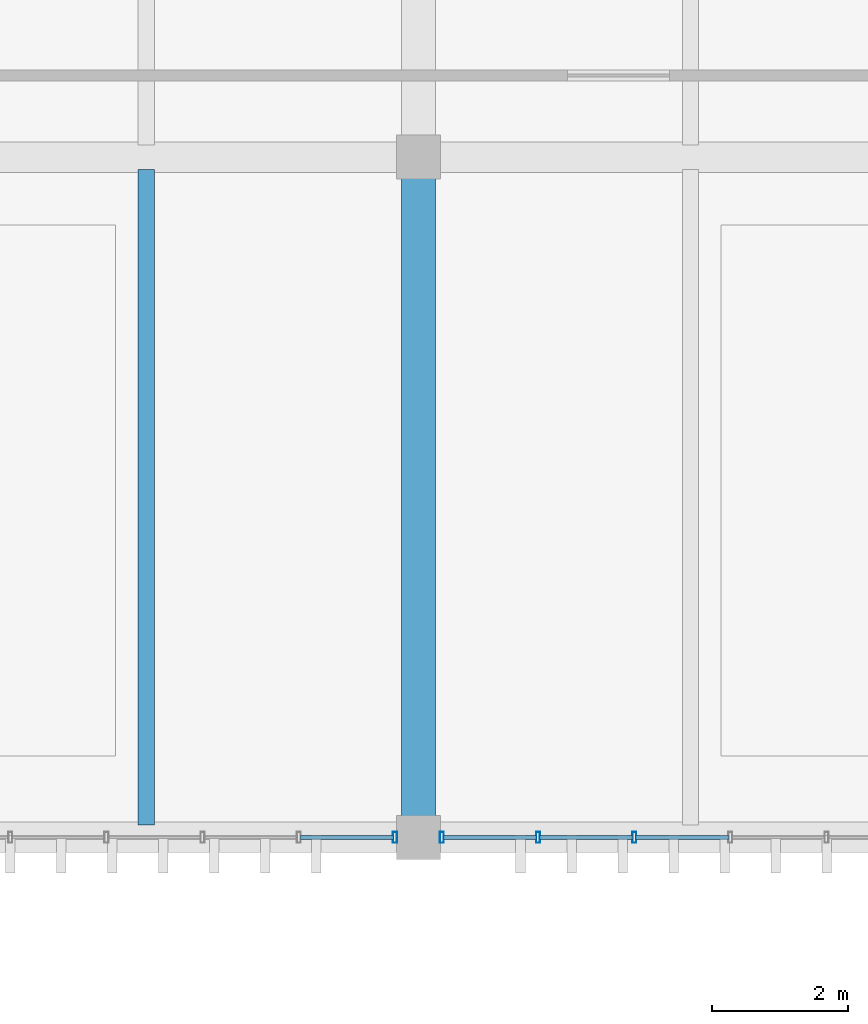
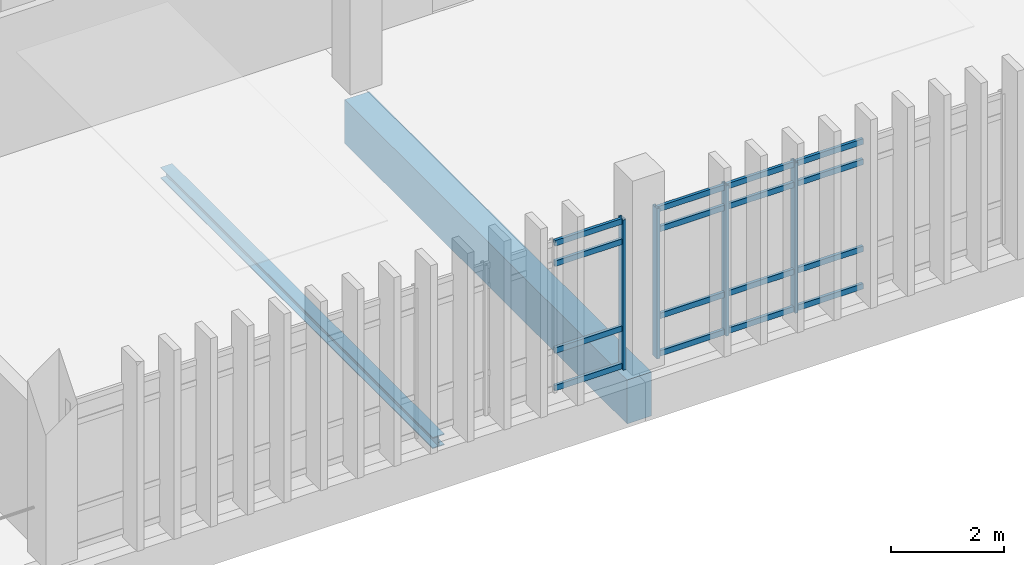
# One storey, part 13 of 82: 20 members, 2 beams, 2 elements without a shape of their own.
"""IFC4 building model written with IfcOpenShell, lengths in metres."""

from ifc_helpers import new_model, si_unit, direction, frame, origin, origin_2d, place, context, subcontext, project, spatial, rectangle, hollow_rectangle, i_section, extrude, material, layer, layer_set, material_profile, profile_set, type_object, element, aggregate, save


model = new_model("IFC4")

# Units and contexts
model_context = context("Model", 3, precision=1e-05, world=origin(), true_north=direction((0.0, 1.0)))
body_context = subcontext(model_context, "Body", "Model", "MODEL_VIEW")
ifc_project = project(units=[si_unit("LENGTHUNIT", "METRE"), si_unit("AREAUNIT", "SQUARE_METRE"), si_unit("VOLUMEUNIT", "CUBIC_METRE"), si_unit("PLANEANGLEUNIT", "RADIAN"), si_unit("MASSUNIT", "GRAM", prefix="KILO")], contexts=[model_context])

# Site, building, storey
site_placement = place(None, origin())
site = spatial("IfcSite", under=ifc_project, at=site_placement, CompositionType="ELEMENT")
building_placement = place(site_placement, origin())
building = spatial("IfcBuilding", under=site, at=building_placement, Name="Mersad Railyard Sports Hall", CompositionType="ELEMENT")
storey_placement = place(building_placement, frame((0.0, 0.0, 13.199951171875)))
storey = spatial("IfcBuildingStorey", under=building, at=storey_placement, Name="L03", CompositionType="ELEMENT", Elevation=13.199951171875)

# Curtain wall, member
ifc_material_1 = material(Name="Aluminium 6063-T6", Category="aluminium")
ifc_layer = layer(ifc_material_1, 0.159912109375)
ifc_layer_set = layer_set([ifc_layer], Name="Aluminium 6063-T6")
curtain_wall_type = type_object("IfcCurtainWallType", Name="ARC-CW-CW59", PredefinedType="USERDEFINED", material=ifc_layer_set)
curtain_wall_1_placement = place(storey_placement, origin())
curtain_wall_1 = element("IfcCurtainWall", 1, at=curtain_wall_1_placement, inside=storey, type_object=curtain_wall_type, Name="Curtain wall CW59-0155", ObjectType="CURTAIN WALL", PredefinedType="USERDEFINED")
ifc_material_profile_1 = material_profile(ifc_material_1, hollow_rectangle(XDim=0.06005859375, YDim=0.159912109375, WallThickness=0.00390625, at=origin_2d()), Name="AL MULLION 60x160x4")
ifc_profile_set_1 = profile_set([ifc_material_profile_1], Name="Aluminium 6063-T6")
member_type_1 = type_object("IfcMemberType", Name="ARC-CW-MUL01", PredefinedType="MULLION", material=ifc_profile_set_1)
member_1_placement = place(storey_placement, frame((66.655029296875, 85.0, -0.02001953125), z_axis=(0.0, 0.0, 1.0), x_axis=(1.0, 0.0, 0.0)))
member_1 = element("IfcMember", 2, at=member_1_placement, type_object=member_type_1, Name="CW59 Mullion 1", PredefinedType="MULLION", context=body_context, shape_type="SweptSolid", body=[
    extrude(hollow_rectangle(XDim=0.06005859375, YDim=0.159912109375, WallThickness=0.00390625, at=origin_2d()), origin(), (0.0, 0.0, 1.0), 3.25),
])

# Curtain wall, members
curtain_wall_2_placement = place(storey_placement, origin())
curtain_wall_2 = element("IfcCurtainWall", 3, at=curtain_wall_2_placement, inside=storey, type_object=curtain_wall_type, Name="Curtain wall CW59-0156", ObjectType="CURTAIN WALL", PredefinedType="USERDEFINED")
member_2_placement = place(storey_placement, frame((70.172607421875, 85.0, -0.02001953125), z_axis=(0.0, 0.0, 1.0), x_axis=(1.0, 0.0, 0.0)))
member_2 = element("IfcMember", 4, at=member_2_placement, type_object=member_type_1, Name="CW59 Mullion 7", PredefinedType="MULLION", context=body_context, shape_type="SweptSolid", body=[
    extrude(hollow_rectangle(XDim=0.06005859375, YDim=0.159912109375, WallThickness=0.00390625, at=origin_2d()), origin(), (0.0, 0.0, 1.0), 3.25),
])
member_3_placement = place(storey_placement, frame((68.7587890625, 85.0, -0.02001953125), z_axis=(0.0, 0.0, 1.0), x_axis=(1.0, 0.0, 0.0)))
member_3 = element("IfcMember", 5, at=member_3_placement, type_object=member_type_1, Name="CW59 Mullion 8", PredefinedType="MULLION", context=body_context, shape_type="SweptSolid", body=[
    extrude(hollow_rectangle(XDim=0.06005859375, YDim=0.159912109375, WallThickness=0.00390625, at=origin_2d()), origin(), (0.0, 0.0, 1.0), 3.25),
])
member_4_placement = place(storey_placement, frame((67.344970703125, 85.0, -0.02001953125), z_axis=(0.0, 0.0, 1.0), x_axis=(1.0, 0.0, 0.0)))
member_4 = element("IfcMember", 6, at=member_4_placement, type_object=member_type_1, Name="CW59 Mullion 9", PredefinedType="MULLION", context=body_context, shape_type="SweptSolid", body=[
    extrude(hollow_rectangle(XDim=0.06005859375, YDim=0.159912109375, WallThickness=0.00390625, at=origin_2d()), origin(), (0.0, 0.0, 1.0), 3.25),
])

# Member
ifc_material_profile_2 = material_profile(ifc_material_1, hollow_rectangle(XDim=0.06005859375, YDim=0.1201171875, WallThickness=0.00390625, at=origin_2d()), Name="AL TRANSOM 60x120x4")
ifc_profile_set_2 = profile_set([ifc_material_profile_2], Name="Aluminium 6063-T6")
member_type_2 = type_object("IfcMemberType", Name="ARC-CW-TRN01", PredefinedType="USERDEFINED", material=ifc_profile_set_2)
member_5_placement = place(storey_placement, frame((66.635009765625, 85.0, 0.0400390625), z_axis=(-1.0, 0.0, 0.0), x_axis=(0.0, -1.0, 0.0)))
member_5 = element("IfcMember", 7, at=member_5_placement, type_object=member_type_2, Name="CW59 Transom 1-1", ObjectType="TRANSOM", PredefinedType="USERDEFINED", context=body_context, shape_type="SweptSolid", body=[
    extrude(hollow_rectangle(XDim=0.06005859375, YDim=0.1201171875, WallThickness=0.00390625, at=origin_2d()), origin(), (0.0, 0.0, 1.0), 1.373779296875),
])

member_6_placement = place(storey_placement, frame((66.635009765625, 85.0, 0.85009765625), z_axis=(-1.0, 0.0, 0.0), x_axis=(0.0, -1.0, 0.0)))
member_6 = element("IfcMember", 8, at=member_6_placement, type_object=member_type_2, Name="CW59 Transom 2-1", ObjectType="TRANSOM", PredefinedType="USERDEFINED", context=body_context, shape_type="SweptSolid", body=[
    extrude(hollow_rectangle(XDim=0.06005859375, YDim=0.1201171875, WallThickness=0.00390625, at=origin_2d()), origin(), (0.0, 0.0, 1.0), 1.373779296875),
])

member_7_placement = place(storey_placement, frame((66.635009765625, 85.0, 2.72998046875), z_axis=(-1.0, 0.0, 0.0), x_axis=(0.0, -1.0, 0.0)))
member_7 = element("IfcMember", 9, at=member_7_placement, type_object=member_type_2, Name="CW59 Transom 3-1", ObjectType="TRANSOM", PredefinedType="USERDEFINED", context=body_context, shape_type="SweptSolid", body=[
    extrude(hollow_rectangle(XDim=0.06005859375, YDim=0.1201171875, WallThickness=0.00390625, at=origin_2d()), origin(), (0.0, 0.0, 1.0), 1.373779296875),
])

member_8_placement = place(storey_placement, frame((66.635009765625, 85.0, 3.170166015625), z_axis=(-1.0, 0.0, 0.0), x_axis=(0.0, -1.0, 0.0)))
member_8 = element("IfcMember", 10, at=member_8_placement, type_object=member_type_2, Name="CW59 Transom 4-1", ObjectType="TRANSOM", PredefinedType="USERDEFINED", context=body_context, shape_type="SweptSolid", body=[
    extrude(hollow_rectangle(XDim=0.06005859375, YDim=0.1201171875, WallThickness=0.00390625, at=origin_2d()), origin(), (0.0, 0.0, 1.0), 1.373779296875),
])

aggregate(curtain_wall_1, [member_1, member_5, member_6, member_7, member_8])

member_9_placement = place(storey_placement, frame((71.566162109375, 85.0, 0.0400390625), z_axis=(-1.0, 0.0, 0.0), x_axis=(0.0, -1.0, 0.0)))
member_9 = element("IfcMember", 11, at=member_9_placement, type_object=member_type_2, Name="CW59 Transom 1-6", ObjectType="TRANSOM", PredefinedType="USERDEFINED", context=body_context, shape_type="SweptSolid", body=[
    extrude(hollow_rectangle(XDim=0.06005859375, YDim=0.1201171875, WallThickness=0.00390625, at=origin_2d()), origin(), (0.0, 0.0, 1.0), 1.373779296875),
])

member_10_placement = place(storey_placement, frame((70.152587890625, 85.0, 0.0400390625), z_axis=(-1.0, 0.0, 0.0), x_axis=(0.0, -1.0, 0.0)))
member_10 = element("IfcMember", 12, at=member_10_placement, type_object=member_type_2, Name="CW59 Transom 1-7", ObjectType="TRANSOM", PredefinedType="USERDEFINED", context=body_context, shape_type="SweptSolid", body=[
    extrude(hollow_rectangle(XDim=0.06005859375, YDim=0.1201171875, WallThickness=0.00390625, at=origin_2d()), origin(), (0.0, 0.0, 1.0), 1.373779296875),
])

member_11_placement = place(storey_placement, frame((68.73876953125, 85.0, 0.0400390625), z_axis=(-1.0, 0.0, 0.0), x_axis=(0.0, -1.0, 0.0)))
member_11 = element("IfcMember", 13, at=member_11_placement, type_object=member_type_2, Name="CW59 Transom 1-8", ObjectType="TRANSOM", PredefinedType="USERDEFINED", context=body_context, shape_type="SweptSolid", body=[
    extrude(hollow_rectangle(XDim=0.06005859375, YDim=0.1201171875, WallThickness=0.00390625, at=origin_2d()), origin(), (0.0, 0.0, 1.0), 1.373779296875),
])

member_12_placement = place(storey_placement, frame((71.566162109375, 85.0, 0.85009765625), z_axis=(-1.0, 0.0, 0.0), x_axis=(0.0, -1.0, 0.0)))
member_12 = element("IfcMember", 14, at=member_12_placement, type_object=member_type_2, Name="CW59 Transom 2-6", ObjectType="TRANSOM", PredefinedType="USERDEFINED", context=body_context, shape_type="SweptSolid", body=[
    extrude(hollow_rectangle(XDim=0.06005859375, YDim=0.1201171875, WallThickness=0.00390625, at=origin_2d()), origin(), (0.0, 0.0, 1.0), 1.373779296875),
])

member_13_placement = place(storey_placement, frame((70.152587890625, 85.0, 0.85009765625), z_axis=(-1.0, 0.0, 0.0), x_axis=(0.0, -1.0, 0.0)))
member_13 = element("IfcMember", 15, at=member_13_placement, type_object=member_type_2, Name="CW59 Transom 2-7", ObjectType="TRANSOM", PredefinedType="USERDEFINED", context=body_context, shape_type="SweptSolid", body=[
    extrude(hollow_rectangle(XDim=0.06005859375, YDim=0.1201171875, WallThickness=0.00390625, at=origin_2d()), origin(), (0.0, 0.0, 1.0), 1.373779296875),
])

member_14_placement = place(storey_placement, frame((68.73876953125, 85.0, 0.85009765625), z_axis=(-1.0, 0.0, 0.0), x_axis=(0.0, -1.0, 0.0)))
member_14 = element("IfcMember", 16, at=member_14_placement, type_object=member_type_2, Name="CW59 Transom 2-8", ObjectType="TRANSOM", PredefinedType="USERDEFINED", context=body_context, shape_type="SweptSolid", body=[
    extrude(hollow_rectangle(XDim=0.06005859375, YDim=0.1201171875, WallThickness=0.00390625, at=origin_2d()), origin(), (0.0, 0.0, 1.0), 1.373779296875),
])

member_15_placement = place(storey_placement, frame((71.566162109375, 85.0, 2.72998046875), z_axis=(-1.0, 0.0, 0.0), x_axis=(0.0, -1.0, 0.0)))
member_15 = element("IfcMember", 17, at=member_15_placement, type_object=member_type_2, Name="CW59 Transom 3-6", ObjectType="TRANSOM", PredefinedType="USERDEFINED", context=body_context, shape_type="SweptSolid", body=[
    extrude(hollow_rectangle(XDim=0.06005859375, YDim=0.1201171875, WallThickness=0.00390625, at=origin_2d()), origin(), (0.0, 0.0, 1.0), 1.373779296875),
])

member_16_placement = place(storey_placement, frame((70.152587890625, 85.0, 2.72998046875), z_axis=(-1.0, 0.0, 0.0), x_axis=(0.0, -1.0, 0.0)))
member_16 = element("IfcMember", 18, at=member_16_placement, type_object=member_type_2, Name="CW59 Transom 3-7", ObjectType="TRANSOM", PredefinedType="USERDEFINED", context=body_context, shape_type="SweptSolid", body=[
    extrude(hollow_rectangle(XDim=0.06005859375, YDim=0.1201171875, WallThickness=0.00390625, at=origin_2d()), origin(), (0.0, 0.0, 1.0), 1.373779296875),
])

member_17_placement = place(storey_placement, frame((68.73876953125, 85.0, 2.72998046875), z_axis=(-1.0, 0.0, 0.0), x_axis=(0.0, -1.0, 0.0)))
member_17 = element("IfcMember", 19, at=member_17_placement, type_object=member_type_2, Name="CW59 Transom 3-8", ObjectType="TRANSOM", PredefinedType="USERDEFINED", context=body_context, shape_type="SweptSolid", body=[
    extrude(hollow_rectangle(XDim=0.06005859375, YDim=0.1201171875, WallThickness=0.00390625, at=origin_2d()), origin(), (0.0, 0.0, 1.0), 1.373779296875),
])

member_18_placement = place(storey_placement, frame((71.566162109375, 85.0, 3.170166015625), z_axis=(-1.0, 0.0, 0.0), x_axis=(0.0, -1.0, 0.0)))
member_18 = element("IfcMember", 20, at=member_18_placement, type_object=member_type_2, Name="CW59 Transom 4-6", ObjectType="TRANSOM", PredefinedType="USERDEFINED", context=body_context, shape_type="SweptSolid", body=[
    extrude(hollow_rectangle(XDim=0.06005859375, YDim=0.1201171875, WallThickness=0.00390625, at=origin_2d()), origin(), (0.0, 0.0, 1.0), 1.373779296875),
])

member_19_placement = place(storey_placement, frame((70.152587890625, 85.0, 3.170166015625), z_axis=(-1.0, 0.0, 0.0), x_axis=(0.0, -1.0, 0.0)))
member_19 = element("IfcMember", 21, at=member_19_placement, type_object=member_type_2, Name="CW59 Transom 4-7", ObjectType="TRANSOM", PredefinedType="USERDEFINED", context=body_context, shape_type="SweptSolid", body=[
    extrude(hollow_rectangle(XDim=0.06005859375, YDim=0.1201171875, WallThickness=0.00390625, at=origin_2d()), origin(), (0.0, 0.0, 1.0), 1.373779296875),
])

member_20_placement = place(storey_placement, frame((68.73876953125, 85.0, 3.170166015625), z_axis=(-1.0, 0.0, 0.0), x_axis=(0.0, -1.0, 0.0)))
member_20 = element("IfcMember", 22, at=member_20_placement, type_object=member_type_2, Name="CW59 Transom 4-8", ObjectType="TRANSOM", PredefinedType="USERDEFINED", context=body_context, shape_type="SweptSolid", body=[
    extrude(hollow_rectangle(XDim=0.06005859375, YDim=0.1201171875, WallThickness=0.00390625, at=origin_2d()), origin(), (0.0, 0.0, 1.0), 1.373779296875),
])

aggregate(curtain_wall_2, [member_2, member_3, member_4, member_9, member_10, member_11, member_12, member_13, member_14, member_15, member_16, member_17, member_18, member_19, member_20])

# Beams
ifc_material_2 = material(Name="Concrete C50/60", Category="concrete")
ifc_material_profile_3 = material_profile(ifc_material_2, rectangle(XDim=0.5, YDim=0.949951171875, at=origin_2d()), Name="RC 500x950")
ifc_profile_set_3 = profile_set([ifc_material_profile_3], Name="Concrete C50/60")
beam_type_1 = type_object("IfcBeamType", Name="STR-BM-B03", PredefinedType="BEAM", material=ifc_profile_set_3)
beam_1_placement = place(storey_placement, frame((67.0, 85.0, -0.794921875), z_axis=(0.0, 1.0, 0.0), x_axis=(-1.0, 0.0, 0.0)))
element("IfcBeam", 23, at=beam_1_placement, inside=storey, type_object=beam_type_1, Name="Beam B03-1250", PredefinedType="BEAM", context=body_context, shape_type="SweptSolid", body=[
    extrude(rectangle(XDim=0.5, YDim=0.949951171875, at=origin_2d()), origin(), (0.0, 0.0, 1.0), 10.0),
])
ifc_material_3 = material(Name="Steel S355", Category="steel")
ifc_material_profile_4 = material_profile(ifc_material_3, i_section(OverallWidth=0.239990234375, OverallDepth=0.239990234375, WebThickness=0.010009765625, FlangeThickness=0.01708984375, at=origin_2d()), Name="HEB 240")
ifc_profile_set_4 = profile_set([ifc_material_profile_4], Name="Steel S355")
beam_type_2 = type_object("IfcBeamType", Name="STR-BM-SB04", PredefinedType="BEAM", material=ifc_profile_set_4)
beam_2_placement = place(storey_placement, frame((63.0, 85.179931640625, -0.43994140625), z_axis=(0.0, 1.0, 0.0), x_axis=(-1.0, 0.0, 0.0)))
element("IfcBeam", 24, at=beam_2_placement, inside=storey, type_object=beam_type_2, Name="Beam SB04-1278", PredefinedType="BEAM", context=body_context, shape_type="SweptSolid", body=[
    extrude(i_section(OverallWidth=0.239990234375, OverallDepth=0.239990234375, WebThickness=0.010009765625, FlangeThickness=0.01708984375, at=origin_2d()), origin(), (0.0, 0.0, 1.0), 9.64013671875),
])

save(model, "model.ifc")
